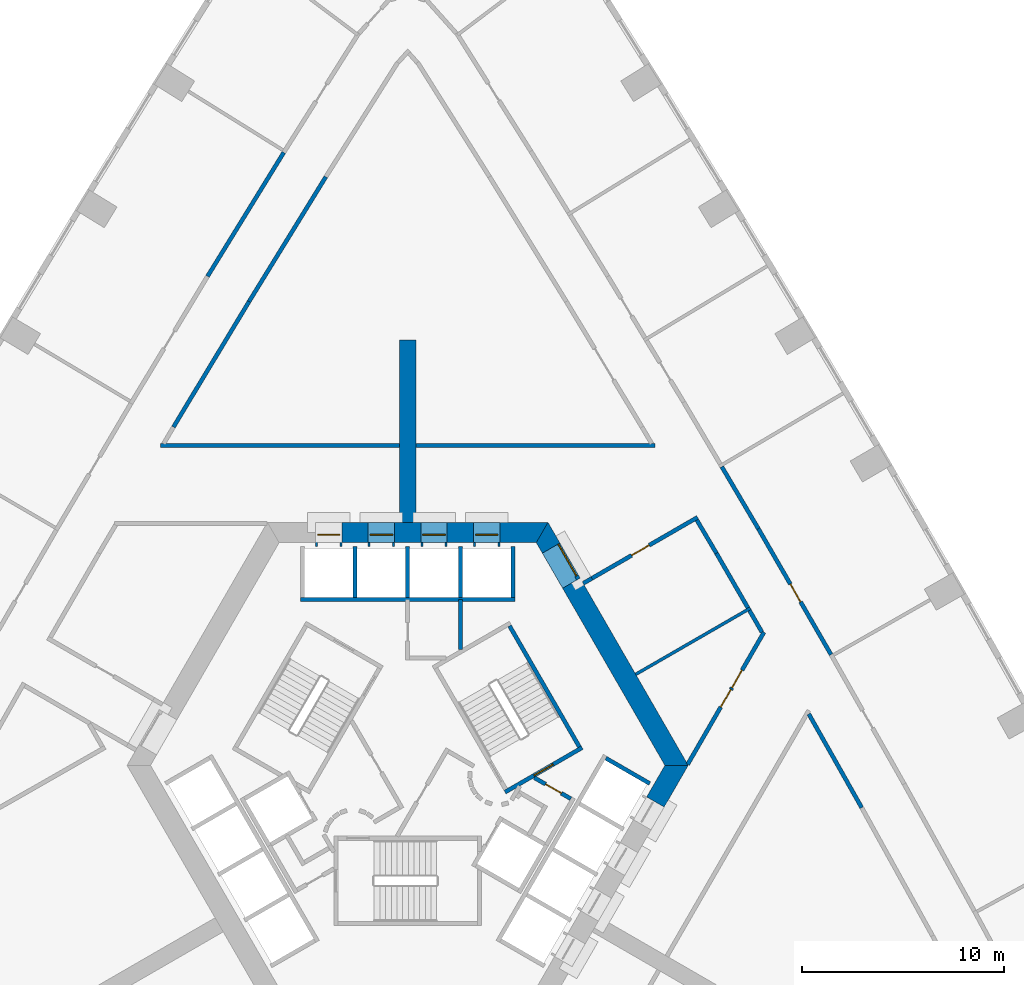
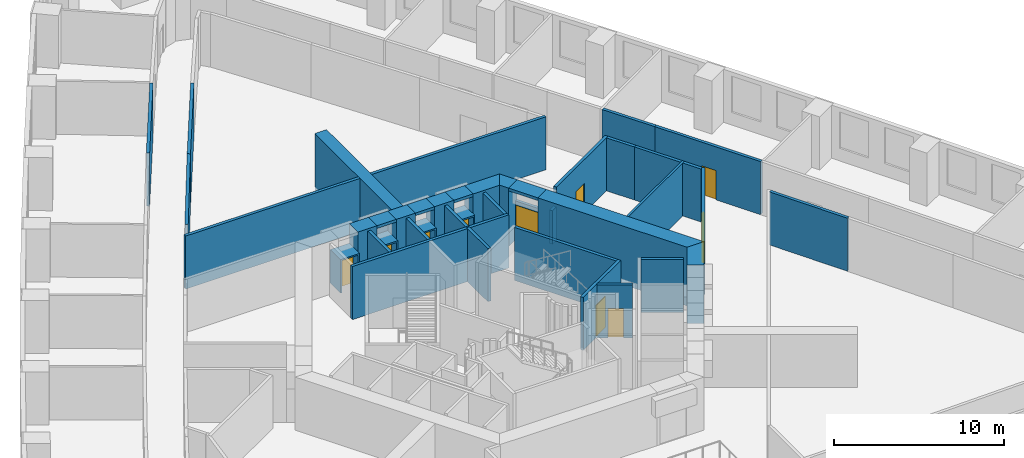
# One storey, part 9 of 14: 42 walls, 11 doors, 11 openings.
"""IFC4 building model written with IfcOpenShell, lengths in metres."""

from ifc_helpers import new_model, si_unit, direction, frame, frame_2d, origin, place, context, subcontext, project, spatial, polyline, rectangle, outline, extrude, material, layer, layer_set, type_object, element, fill, save


model = new_model("IFC4")

# Units and contexts
model_context = context("Model", 3, precision=1e-05, world=origin(), true_north=direction((0.0, 1.0)))
body_context = subcontext(model_context, "Body", "Model", "MODEL_VIEW")
ifc_project = project(units=[si_unit("LENGTHUNIT", "METRE"), si_unit("AREAUNIT", "SQUARE_METRE"), si_unit("VOLUMEUNIT", "CUBIC_METRE"), si_unit("PLANEANGLEUNIT", "RADIAN"), si_unit("MASSUNIT", "GRAM", prefix="KILO")], contexts=[model_context])

# Site, building, storey
site_placement = place(None, origin())
site = spatial("IfcSite", under=ifc_project, at=site_placement, CompositionType="ELEMENT")
building_placement = place(site_placement, origin())
building = spatial("IfcBuilding", under=site, at=building_placement, Name="Entoto Arch Interchange Tower", CompositionType="ELEMENT")
storey_placement = place(building_placement, frame((0.0, 0.0, 64.39990234375)))
storey = spatial("IfcBuildingStorey", under=building, at=storey_placement, Name="L13", CompositionType="ELEMENT", Elevation=64.39990234375)

# Wall
ifc_material_1 = material(Name="Concrete C60/75", Category="concrete")
ifc_layer_1 = layer(ifc_material_1, 0.800048828125)
ifc_layer_set_1 = layer_set([ifc_layer_1], Name="Concrete C60/75")
wall_type_1 = type_object("IfcWallType", Name="Buttress wall 800 C60/75", PredefinedType="SHEAR", material=ifc_layer_set_1)
wall_1_placement = place(storey_placement, frame((0.0, 14.5, -0.39990234375), z_axis=(0.0, 0.0, 1.0), x_axis=(0.0, 1.0, 0.0)))
element("IfcWall", 1, at=wall_1_placement, inside=storey, type_object=wall_type_1, Name="Buttress wall N L13", PredefinedType="SHEAR", context=body_context, shape_type="SweptSolid", body=[
    extrude(rectangle(XDim=9.0, YDim=0.800048828125, at=frame_2d((4.5, 0.0))), origin(), (0.0, 0.0, 1.0), 4.199951171875),
])

# Wall, opening, door
ifc_material_2 = material(Name="Reinforced concrete C40/50", Category="concrete")
ifc_layer_2 = layer(ifc_material_2, 0.199951171875)
ifc_layer_set_2 = layer_set([ifc_layer_2], Name="Reinforced concrete C40/50")
wall_type_2 = type_object("IfcWallType", Name="CORE GAP INFILL WALL", PredefinedType="PARTITIONING", material=ifc_layer_set_2)
wall_2_placement = place(storey_placement, frame((8.429931640625, 11.697998046875, 0.0), z_axis=(0.0, 0.0, 1.0), x_axis=(-0.50002537861, 0.866010750942, 0.0)))
wall_2 = element("IfcWall", 2, at=wall_2_placement, inside=storey, type_object=wall_type_2, Name="wall:L13:gap2", PredefinedType="PARTITIONING", context=body_context, shape_type="SweptSolid", body=[
    extrude(rectangle(XDim=2.0, YDim=0.199951171875, at=frame_2d((1.0, 0.0))), origin(), (0.0, 0.0, 1.0), 2.400146484375),
])
opening_1_placement = place(wall_2_placement, frame((0.18994140625, 0.0, 0.0)))
opening_1 = element("IfcOpeningElement", 3, at=opening_1_placement, cuts=wall_2, Name="Opening L13-D92", PredefinedType="OPENING", context=body_context, shape_type="SweptSolid", body=[
    extrude(rectangle(XDim=1.800048828125, YDim=2.10009765625, at=frame_2d((0.89990234375, 1.050048828125))), frame((0.0, 0.10986328125, 0.0), z_axis=(0.0, -1.0, 0.0), x_axis=(1.0, 0.0, 0.0)), (0.0, 0.0, 1.0), 0.219970703125),
])
ifc_material_3 = material(Name="Fire-rated Steel S235 door and frame", Category="steel")
door_type_1 = type_object("IfcDoorType", Name="DOOR FD-18 1800x2100", OperationType="DOUBLE_DOOR_SINGLE_SWING", PredefinedType="DOOR", material=ifc_material_3)
door_1_placement = place(opening_1_placement, origin())
door_1 = element("IfcDoor", 4, at=door_1_placement, inside=storey, type_object=door_type_1, Name="door:L13:gap2", OperationType="DOUBLE_DOOR_SINGLE_SWING", OverallHeight=2.10009765625, OverallWidth=1.800048828125, PredefinedType="DOOR", context=body_context, shape_type="SweptSolid", body=[
    extrude(rectangle(XDim=1.800048828125, YDim=2.10009765625, at=frame_2d((0.89990234375, 1.050048828125))), frame((0.0, 0.02490234375, 0.0), z_axis=(0.0, -1.0, 0.0), x_axis=(1.0, 0.0, 0.0)), (0.0, 0.0, 1.0), 0.050048828125),
])
fill(opening_1, door_1)

# Walls
ifc_layer_3 = layer(ifc_material_1, 1.0)
ifc_layer_set_3 = layer_set([ifc_layer_3], Name="Concrete C60/75")
wall_type_3 = type_object("IfcWallType", Name="Core wall 1000 C60/75", PredefinedType="SHEAR", material=ifc_layer_set_3)
wall_3_placement = place(storey_placement, frame((0.0, 0.0, -0.39990234375)))
element("IfcWall", 5, at=wall_3_placement, inside=storey, type_object=wall_type_3, Name="Core wall NE L13", PredefinedType="SHEAR", context=body_context, shape_type="SweptSolid", body=[
    extrude(outline(polyline([(8.51708984375, 11.748046875), (7.65087890625, 11.248046875), (12.701904296875, 2.5), (13.85595703125, 2.5), (8.51708984375, 11.748046875)])), origin(), (0.0, 0.0, 1.0), 4.199951171875),
])
wall_4_placement = place(storey_placement, frame((0.0, 0.0, -0.39990234375)))
element("IfcWall", 6, at=wall_4_placement, inside=storey, type_object=wall_type_3, Name="Core wall NE L13", PredefinedType="SHEAR", context=body_context, shape_type="SweptSolid", body=[
    extrude(outline(polyline([(6.65087890625, 12.97998046875), (7.51708984375, 13.47998046875), (6.927978515625, 14.5), (6.35107421875, 13.5), (6.65087890625, 12.97998046875)])), origin(), (0.0, 0.0, 1.0), 4.199951171875),
])
wall_5_placement = place(storey_placement, frame((0.0, 0.0, 3.60009765625)))
element("IfcWall", 7, at=wall_5_placement, inside=storey, type_object=wall_type_3, Name="Core wall lintel NE L13", PredefinedType="SHEAR", context=body_context, shape_type="SweptSolid", body=[
    extrude(outline(polyline([(7.51708984375, 13.47998046875), (6.65087890625, 12.97998046875), (7.65087890625, 11.248046875), (8.51708984375, 11.748046875), (7.51708984375, 13.47998046875)])), origin(), (0.0, 0.0, 1.0), 0.199951171875),
])
wall_6_placement = place(storey_placement, frame((0.0, 0.0, -0.39990234375)))
element("IfcWall", 8, at=wall_6_placement, inside=storey, type_object=wall_type_3, Name="Core wall N L13", PredefinedType="SHEAR", context=body_context, shape_type="SweptSolid", body=[
    extrude(outline(polyline([(4.550048828125, 14.5), (4.550048828125, 13.5), (6.35107421875, 13.5), (6.927978515625, 14.5), (4.550048828125, 14.5)])), origin(), (0.0, 0.0, 1.0), 4.199951171875),
])
wall_7_placement = place(storey_placement, frame((0.0, 0.0, -0.39990234375)))
element("IfcWall", 9, at=wall_7_placement, inside=storey, type_object=wall_type_3, Name="Core wall N L13", PredefinedType="SHEAR", context=body_context, shape_type="SweptSolid", body=[
    extrude(outline(polyline([(1.949951171875, 14.5), (1.949951171875, 13.5), (3.25, 13.5), (3.25, 14.5), (1.949951171875, 14.5)])), origin(), (0.0, 0.0, 1.0), 4.199951171875),
])
wall_8_placement = place(storey_placement, frame((0.0, 0.0, -0.39990234375)))
element("IfcWall", 10, at=wall_8_placement, inside=storey, type_object=wall_type_3, Name="Core wall N L13", PredefinedType="SHEAR", context=body_context, shape_type="SweptSolid", body=[
    extrude(outline(polyline([(-0.64990234375, 14.5), (-0.64990234375, 13.5), (0.64990234375, 13.5), (0.64990234375, 14.5), (-0.64990234375, 14.5)])), origin(), (0.0, 0.0, 1.0), 4.199951171875),
])
wall_9_placement = place(storey_placement, frame((0.0, 0.0, -0.39990234375)))
element("IfcWall", 11, at=wall_9_placement, inside=storey, type_object=wall_type_3, Name="Core wall N L13", PredefinedType="SHEAR", context=body_context, shape_type="SweptSolid", body=[
    extrude(outline(polyline([(-3.25, 14.5), (-3.25, 13.5), (-1.949951171875, 13.5), (-1.949951171875, 14.5), (-3.25, 14.5)])), origin(), (0.0, 0.0, 1.0), 4.199951171875),
])
wall_10_placement = place(storey_placement, frame((0.0, 0.0, 3.60009765625)))
element("IfcWall", 12, at=wall_10_placement, inside=storey, type_object=wall_type_3, Name="Core wall lintel N L13", PredefinedType="SHEAR", context=body_context, shape_type="SweptSolid", body=[
    extrude(outline(polyline([(3.25, 14.5), (3.25, 13.5), (4.550048828125, 13.5), (4.550048828125, 14.5), (3.25, 14.5)])), origin(), (0.0, 0.0, 1.0), 0.199951171875),
])
wall_11_placement = place(storey_placement, frame((0.0, 0.0, 3.60009765625)))
element("IfcWall", 13, at=wall_11_placement, inside=storey, type_object=wall_type_3, Name="Core wall lintel N L13", PredefinedType="SHEAR", context=body_context, shape_type="SweptSolid", body=[
    extrude(outline(polyline([(0.64990234375, 14.5), (0.64990234375, 13.5), (1.949951171875, 13.5), (1.949951171875, 14.5), (0.64990234375, 14.5)])), origin(), (0.0, 0.0, 1.0), 0.199951171875),
])
wall_12_placement = place(storey_placement, frame((0.0, 0.0, 3.60009765625)))
element("IfcWall", 14, at=wall_12_placement, inside=storey, type_object=wall_type_3, Name="Core wall lintel N L13", PredefinedType="SHEAR", context=body_context, shape_type="SweptSolid", body=[
    extrude(outline(polyline([(-1.949951171875, 14.5), (-1.949951171875, 13.5), (-0.64990234375, 13.5), (-0.64990234375, 14.5), (-1.949951171875, 14.5)])), origin(), (0.0, 0.0, 1.0), 0.199951171875),
])
wall_13_placement = place(storey_placement, frame((0.0, 0.0, -0.39990234375)))
element("IfcWall", 15, at=wall_13_placement, inside=storey, type_object=wall_type_3, Name="Core wall SE L13", PredefinedType="SHEAR", context=body_context, shape_type="SweptSolid", body=[
    extrude(outline(polyline([(11.801025390625, 0.93994140625), (12.6669921875, 0.43994140625), (13.85595703125, 2.5), (12.701904296875, 2.5), (11.801025390625, 0.93994140625)])), origin(), (0.0, 0.0, 1.0), 4.199951171875),
])

# Wall, opening, door
ifc_material_4 = material(Name="Concrete C40/50", Category="concrete")
ifc_layer_4 = layer(ifc_material_4, 1.199951171875)
ifc_layer_set_4 = layer_set([ifc_layer_4], Name="Concrete C40/50")
wall_type_4 = type_object("IfcWallType", Name="LIFT LANDING INFILL WALL", PredefinedType="STANDARD", material=ifc_layer_set_4)
wall_14_placement = place(storey_placement, frame((4.550048828125, 13.89990234375, 0.0), z_axis=(0.0, 0.0, 1.0), x_axis=(-1.0, 0.0, 0.0)))
wall_14 = element("IfcWall", 16, at=wall_14_placement, inside=storey, type_object=wall_type_4, Name="Lift landing infill wall LR1 L13", PredefinedType="STANDARD", context=body_context, shape_type="SweptSolid", body=[
    extrude(rectangle(XDim=1.300048828125, YDim=1.199951171875, at=frame_2d((0.64990234375, 0.0))), origin(), (0.0, 0.0, 1.0), 2.400146484375),
])
opening_2_placement = place(wall_14_placement, frame((0.10009765625, 0.0, 0.0)))
opening_2 = element("IfcOpeningElement", 17, at=opening_2_placement, cuts=wall_14, Name="Opening LD-LR1-L13", PredefinedType="OPENING", context=body_context, shape_type="SweptSolid", body=[
    extrude(rectangle(XDim=1.10009765625, YDim=2.300048828125, at=frame_2d((0.550048828125, 1.14990234375))), frame((0.0, 0.60986328125, 0.0), z_axis=(0.0, -1.0, 0.0), x_axis=(1.0, 0.0, 0.0)), (0.0, 0.0, 1.0), 1.219970703125),
])
ifc_material_5 = material(Name="Stainless steel 1.4301 panels", Category="steel")
door_type_2 = type_object("IfcDoorType", Name="LIFT LANDING DOOR LD2 1100x2300", OperationType="SLIDING_TO_LEFT", PredefinedType="DOOR", material=ifc_material_5)
door_2_placement = place(opening_2_placement, origin())
door_2 = element("IfcDoor", 18, at=door_2_placement, inside=storey, type_object=door_type_2, Name="Lift landing door LR1 L13", OperationType="SLIDING_TO_LEFT", OverallHeight=2.300048828125, OverallWidth=1.10009765625, PredefinedType="DOOR", context=body_context, shape_type="SweptSolid", body=[
    extrude(rectangle(XDim=1.10009765625, YDim=2.300048828125, at=frame_2d((0.550048828125, 1.14990234375))), frame((0.0, 0.02490234375, 0.0), z_axis=(0.0, -1.0, 0.0), x_axis=(1.0, 0.0, 0.0)), (0.0, 0.0, 1.0), 0.050048828125),
])
fill(opening_2, door_2)

wall_15_placement = place(storey_placement, frame((1.949951171875, 13.89990234375, 0.0), z_axis=(0.0, 0.0, 1.0), x_axis=(-1.0, 0.0, 0.0)))
wall_15 = element("IfcWall", 19, at=wall_15_placement, inside=storey, type_object=wall_type_4, Name="Lift landing infill wall LR2 L13", PredefinedType="STANDARD", context=body_context, shape_type="SweptSolid", body=[
    extrude(rectangle(XDim=1.300048828125, YDim=1.199951171875, at=frame_2d((0.64990234375, 0.0))), origin(), (0.0, 0.0, 1.0), 2.400146484375),
])
opening_3_placement = place(wall_15_placement, frame((0.10009765625, 0.0, 0.0)))
opening_3 = element("IfcOpeningElement", 20, at=opening_3_placement, cuts=wall_15, Name="Opening LD-LR2-L13", PredefinedType="OPENING", context=body_context, shape_type="SweptSolid", body=[
    extrude(rectangle(XDim=1.10009765625, YDim=2.300048828125, at=frame_2d((0.550048828125, 1.14990234375))), frame((0.0, 0.60986328125, 0.0), z_axis=(0.0, -1.0, 0.0), x_axis=(1.0, 0.0, 0.0)), (0.0, 0.0, 1.0), 1.219970703125),
])
door_3_placement = place(opening_3_placement, origin())
door_3 = element("IfcDoor", 21, at=door_3_placement, inside=storey, type_object=door_type_2, Name="Lift landing door LR2 L13", OperationType="SLIDING_TO_LEFT", OverallHeight=2.300048828125, OverallWidth=1.10009765625, PredefinedType="DOOR", context=body_context, shape_type="SweptSolid", body=[
    extrude(rectangle(XDim=1.10009765625, YDim=2.300048828125, at=frame_2d((0.550048828125, 1.14990234375))), frame((0.0, 0.02490234375, 0.0), z_axis=(0.0, -1.0, 0.0), x_axis=(1.0, 0.0, 0.0)), (0.0, 0.0, 1.0), 0.050048828125),
])
fill(opening_3, door_3)

wall_16_placement = place(storey_placement, frame((-0.64990234375, 13.89990234375, 0.0), z_axis=(0.0, 0.0, 1.0), x_axis=(-1.0, 0.0, 0.0)))
wall_16 = element("IfcWall", 22, at=wall_16_placement, inside=storey, type_object=wall_type_4, Name="Lift landing infill wall LR3 L13", PredefinedType="STANDARD", context=body_context, shape_type="SweptSolid", body=[
    extrude(rectangle(XDim=1.300048828125, YDim=1.199951171875, at=frame_2d((0.64990234375, 0.0))), origin(), (0.0, 0.0, 1.0), 2.400146484375),
])
opening_4_placement = place(wall_16_placement, frame((0.10009765625, 0.0, 0.0)))
opening_4 = element("IfcOpeningElement", 23, at=opening_4_placement, cuts=wall_16, Name="Opening LD-LR3-L13", PredefinedType="OPENING", context=body_context, shape_type="SweptSolid", body=[
    extrude(rectangle(XDim=1.10009765625, YDim=2.300048828125, at=frame_2d((0.550048828125, 1.14990234375))), frame((0.0, 0.60986328125, 0.0), z_axis=(0.0, -1.0, 0.0), x_axis=(1.0, 0.0, 0.0)), (0.0, 0.0, 1.0), 1.219970703125),
])
door_4_placement = place(opening_4_placement, origin())
door_4 = element("IfcDoor", 24, at=door_4_placement, inside=storey, type_object=door_type_2, Name="Lift landing door LR3 L13", OperationType="SLIDING_TO_LEFT", OverallHeight=2.300048828125, OverallWidth=1.10009765625, PredefinedType="DOOR", context=body_context, shape_type="SweptSolid", body=[
    extrude(rectangle(XDim=1.10009765625, YDim=2.300048828125, at=frame_2d((0.550048828125, 1.14990234375))), frame((0.0, 0.02490234375, 0.0), z_axis=(0.0, -1.0, 0.0), x_axis=(1.0, 0.0, 0.0)), (0.0, 0.0, 1.0), 0.050048828125),
])
fill(opening_4, door_4)

wall_17_placement = place(storey_placement, frame((-3.25, 13.89990234375, 0.0), z_axis=(0.0, 0.0, 1.0), x_axis=(-1.0, 0.0, 0.0)))
wall_17 = element("IfcWall", 25, at=wall_17_placement, inside=storey, type_object=wall_type_4, Name="Lift landing infill wall LR4 L13", PredefinedType="STANDARD", context=body_context, shape_type="SweptSolid", body=[
    extrude(rectangle(XDim=1.300048828125, YDim=1.199951171875, at=frame_2d((0.64990234375, 0.0))), origin(), (0.0, 0.0, 1.0), 2.400146484375),
])
opening_5_placement = place(wall_17_placement, frame((0.10009765625, 0.0, 0.0)))
opening_5 = element("IfcOpeningElement", 26, at=opening_5_placement, cuts=wall_17, Name="Opening LD-LR4-L13", PredefinedType="OPENING", context=body_context, shape_type="SweptSolid", body=[
    extrude(rectangle(XDim=1.10009765625, YDim=2.300048828125, at=frame_2d((0.550048828125, 1.14990234375))), frame((0.0, 0.60986328125, 0.0), z_axis=(0.0, -1.0, 0.0), x_axis=(1.0, 0.0, 0.0)), (0.0, 0.0, 1.0), 1.219970703125),
])
door_5_placement = place(opening_5_placement, origin())
door_5 = element("IfcDoor", 27, at=door_5_placement, inside=storey, type_object=door_type_2, Name="Lift landing door LR4 L13", OperationType="SLIDING_TO_LEFT", OverallHeight=2.300048828125, OverallWidth=1.10009765625, PredefinedType="DOOR", context=body_context, shape_type="SweptSolid", body=[
    extrude(rectangle(XDim=1.10009765625, YDim=2.300048828125, at=frame_2d((0.550048828125, 1.14990234375))), frame((0.0, 0.02490234375, 0.0), z_axis=(0.0, -1.0, 0.0), x_axis=(1.0, 0.0, 0.0)), (0.0, 0.0, 1.0), 0.050048828125),
])
fill(opening_5, door_5)

# Walls
ifc_layer_5 = layer(ifc_material_4, 0.199951171875)
ifc_layer_set_5 = layer_set([ifc_layer_5], Name="Concrete C40/50")
wall_type_5 = type_object("IfcWallType", Name="LIFT SHAFT WALL 200", PredefinedType="STANDARD", material=ifc_layer_set_5)
wall_18_placement = place(storey_placement, frame((5.300048828125, 10.699951171875, 0.0), z_axis=(0.0, 0.0, 1.0), x_axis=(-1.0, 0.0, 0.0)))
element("IfcWall", 28, at=wall_18_placement, inside=storey, type_object=wall_type_5, Name="Shaft wall N3 front", PredefinedType="STANDARD", context=body_context, shape_type="SweptSolid", body=[
    extrude(rectangle(XDim=10.60009765625, YDim=0.199951171875, at=frame_2d((5.300048828125, 0.0))), origin(), (0.0, 0.0, 1.0), 3.800048828125),
])
for number, where, z_axis, x_axis, name in (
    (29, (5.199951171875, 10.800048828125, 0.0), (0.0, 0.0, 1.0), (0.0, 1.0, 0.0), "Shaft wall N3 cross 1"),
    (30, (2.60009765625, 10.800048828125, 0.0), (0.0, 0.0, 1.0), (0.0, 1.0, 0.0), "Shaft wall N3 cross 2"),
    (31, (0.0, 10.800048828125, 0.0), (0.0, 0.0, 1.0), (0.0, 1.0, 0.0), "Shaft wall N3 cross 3"),
    (32, (-2.60009765625, 10.800048828125, 0.0), (0.0, 0.0, 1.0), (0.0, 1.0, 0.0), "Shaft wall N3 cross 4"),
):
    element("IfcWall", number, at=place(storey_placement, frame(where, z_axis=z_axis, x_axis=x_axis)), inside=storey, type_object=wall_type_5, Name=name, PredefinedType="STANDARD", context=body_context, shape_type="SweptSolid", body=[
        extrude(rectangle(XDim=2.5, YDim=0.199951171875, at=frame_2d((1.25, 0.0))), origin(), (0.0, 0.0, 1.0), 3.800048828125),
    ])
wall_19_placement = place(storey_placement, frame((9.7880859375, 2.85302734375, 0.0), z_axis=(0.0, 0.0, 1.0), x_axis=(0.865998541277, -0.500046524342, 0.0)))
element("IfcWall", 33, at=wall_19_placement, inside=storey, type_object=wall_type_5, Name="Shaft wall SE3 cross 5", PredefinedType="STANDARD", context=body_context, shape_type="SweptSolid", body=[
    extrude(rectangle(XDim=2.499755859375, YDim=0.199951171875, at=frame_2d((1.25, 0.0))), origin(), (0.0, 0.0, 1.0), 3.800048828125),
])
ifc_material_6 = material(Name="Gypsum board partition on steel studs", Category="steel")
ifc_layer_6 = layer(ifc_material_6, 0.14990234375)
ifc_layer_set_6 = layer_set([ifc_layer_6], Name="Gypsum board partition on steel studs")
wall_type_6 = type_object("IfcWallType", Name="PARTITION 150", PredefinedType="PARTITIONING", material=ifc_layer_set_6)
wall_20_placement = place(storey_placement, frame((11.260986328125, 6.993896484375, 0.0), z_axis=(0.0, 0.0, 1.0), x_axis=(0.866043905515, 0.499967952693, 0.0)))
element("IfcWall", 34, at=wall_20_placement, inside=storey, type_object=wall_type_6, Name="wall:L13:p098", PredefinedType="PARTITIONING", context=body_context, shape_type="SweptSolid", body=[
    extrude(rectangle(XDim=6.54248046875, YDim=0.14990234375, at=frame_2d((3.271240234375, 0.0))), origin(), (0.0, 0.0, 1.0), 3.800048828125),
])
ifc_layer_7 = layer(ifc_material_6, 0.199951171875)
ifc_layer_set_7 = layer_set([ifc_layer_7], Name="Gypsum board partition on steel studs")
wall_type_7 = type_object("IfcWallType", Name="PARTITION 200", PredefinedType="PARTITIONING", material=ifc_layer_set_7)
wall_21_placement = place(storey_placement, frame((17.4970703125, 9.077880859375, 0.0), z_axis=(0.0, 0.0, 1.0), x_axis=(-0.500126451326, 0.865952384768, 0.0)))
element("IfcWall", 35, at=wall_21_placement, inside=storey, type_object=wall_type_7, Name="wall:L13:p004", PredefinedType="PARTITIONING", context=body_context, shape_type="SweptSolid", body=[
    extrude(rectangle(XDim=1.238037109375, YDim=0.199951171875, at=frame_2d((0.619140625, 0.0))), origin(), (0.0, 0.0, 1.0), 3.800048828125),
])
wall_22_placement = place(storey_placement, frame((16.802978515625, 10.280029296875, 0.0), z_axis=(0.0, 0.0, 1.0), x_axis=(-0.499941881293, 0.866058956036, 0.0)))
element("IfcWall", 36, at=wall_22_placement, inside=storey, type_object=wall_type_7, Name="wall:L13:p005", PredefinedType="PARTITIONING", context=body_context, shape_type="SweptSolid", body=[
    extrude(rectangle(XDim=3.114013671875, YDim=0.199951171875, at=frame_2d((1.55712890625, 0.0))), origin(), (0.0, 0.0, 1.0), 3.800048828125),
])
wall_23_placement = place(storey_placement, frame((15.24609375, 12.97705078125, 0.0), z_axis=(0.0, 0.0, 1.0), x_axis=(-0.508473864329, 0.861077423519, 0.0)))
element("IfcWall", 37, at=wall_23_placement, inside=storey, type_object=wall_type_7, Name="wall:L13:p006", PredefinedType="PARTITIONING", context=body_context, shape_type="SweptSolid", body=[
    extrude(rectangle(XDim=1.89990234375, YDim=0.199951171875, at=frame_2d((0.949951171875, 0.0))), origin(), (0.0, 0.0, 1.0), 3.800048828125),
])

# Wall, opening, door
wall_24_placement = place(storey_placement, frame((14.31591796875, 14.75, 0.0), z_axis=(0.0, 0.0, 1.0), x_axis=(-0.865981716183, -0.500075661512, 0.0)))
wall_24 = element("IfcWall", 38, at=wall_24_placement, inside=storey, type_object=wall_type_7, Name="wall:L13:p007", PredefinedType="PARTITIONING", context=body_context, shape_type="SweptSolid", body=[
    extrude(rectangle(XDim=6.02294921875, YDim=0.199951171875, at=frame_2d((3.011474609375, 0.0))), origin(), (0.0, 0.0, 1.0), 3.800048828125),
])
opening_6_placement = place(wall_24_placement, frame((2.760986328125, 0.0, 0.0)))
opening_6 = element("IfcOpeningElement", 39, at=opening_6_placement, cuts=wall_24, Name="Opening L13-D29", PredefinedType="OPENING", context=body_context, shape_type="SweptSolid", body=[
    extrude(rectangle(XDim=1.0, YDim=2.10009765625, at=frame_2d((0.5, 1.050048828125))), frame((0.0, 0.10986328125, 0.0), z_axis=(0.0, -1.0, 0.0), x_axis=(1.0, 0.0, 0.0)), (0.0, 0.0, 1.0), 0.219970703125),
])
ifc_material_7 = material(Name="Timber door leaf in Steel S235 frame", Category="steel")
door_type_3 = type_object("IfcDoorType", Name="DOOR DS-10 1000x2100", OperationType="SINGLE_SWING_LEFT", PredefinedType="DOOR", material=ifc_material_7)
door_6_placement = place(opening_6_placement, origin())
door_6 = element("IfcDoor", 40, at=door_6_placement, inside=storey, type_object=door_type_3, Name="door:L13:29", OperationType="SINGLE_SWING_LEFT", OverallHeight=2.10009765625, OverallWidth=1.0, PredefinedType="DOOR", context=body_context, shape_type="SweptSolid", body=[
    extrude(rectangle(XDim=1.0, YDim=2.10009765625, at=frame_2d((0.5, 1.050048828125))), frame((0.0, 0.02490234375, 0.0), z_axis=(0.0, -1.0, 0.0), x_axis=(1.0, 0.0, 0.0)), (0.0, 0.0, 1.0), 0.050048828125),
])
fill(opening_6, door_6)

# Walls
wall_25_placement = place(storey_placement, frame((-4.04296875, 31.56396484375, 0.0), z_axis=(0.0, 0.0, 1.0), x_axis=(-0.524225471951, -0.851579505717, 0.0)))
element("IfcWall", 41, at=wall_25_placement, inside=storey, type_object=wall_type_7, Name="wall:L13:p015", PredefinedType="PARTITIONING", context=body_context, shape_type="SweptSolid", body=[
    extrude(rectangle(XDim=7.2333984375, YDim=0.199951171875, at=frame_2d((3.61669921875, 0.0))), origin(), (0.0, 0.0, 1.0), 3.800048828125),
])
wall_26_placement = place(storey_placement, frame((-7.8349609375, 25.404052734375, 0.0), z_axis=(0.0, 0.0, 1.0), x_axis=(-0.516172233954, -0.85648480716, 0.0)))
element("IfcWall", 42, at=wall_26_placement, inside=storey, type_object=wall_type_7, Name="wall:L13:p016", PredefinedType="PARTITIONING", context=body_context, shape_type="SweptSolid", body=[
    extrude(rectangle(XDim=7.234375, YDim=0.199951171875, at=frame_2d((3.6171875, 0.0))), origin(), (0.0, 0.0, 1.0), 3.800048828125),
])
wall_27_placement = place(storey_placement, frame((22.419921875, 0.4150390625, 0.0), z_axis=(0.0, 0.0, 1.0), x_axis=(-0.491823859571, 0.870694717543, 0.0)))
element("IfcWall", 43, at=wall_27_placement, inside=storey, type_object=wall_type_7, Name="wall:L13:p026", PredefinedType="PARTITIONING", context=body_context, shape_type="SweptSolid", body=[
    extrude(rectangle(XDim=5.30859375, YDim=0.199951171875, at=frame_2d((2.654296875, 0.0))), origin(), (0.0, 0.0, 1.0), 3.800048828125),
])
wall_28_placement = place(storey_placement, frame((15.511962890625, 17.248046875, 0.0), z_axis=(0.0, 0.0, 1.0), x_axis=(0.508178415101, -0.861251820564, 0.0)))
element("IfcWall", 44, at=wall_28_placement, inside=storey, type_object=wall_type_7, Name="wall:L13:p054", PredefinedType="PARTITIONING", context=body_context, shape_type="SweptSolid", body=[
    extrude(rectangle(XDim=3.55419921875, YDim=0.199951171875, at=frame_2d((1.777099609375, 0.0))), origin(), (0.0, 0.0, 1.0), 3.800048828125),
])

# Wall, opening, door
wall_29_placement = place(storey_placement, frame((17.318115234375, 14.18701171875, 0.0), z_axis=(0.0, 0.0, 1.0), x_axis=(0.499986381413, -0.866033266336, 0.0)))
wall_29 = element("IfcWall", 45, at=wall_29_placement, inside=storey, type_object=wall_type_7, Name="wall:L13:p055", PredefinedType="PARTITIONING", context=body_context, shape_type="SweptSolid", body=[
    extrude(rectangle(XDim=7.179931640625, YDim=0.199951171875, at=frame_2d((3.58984375, 0.0))), origin(), (0.0, 0.0, 1.0), 3.800048828125),
])
opening_7_placement = place(wall_29_placement, frame((3.1650390625, 0.0, 0.0)))
opening_7 = element("IfcOpeningElement", 46, at=opening_7_placement, cuts=wall_29, Name="Opening L13-D05", PredefinedType="OPENING", context=body_context, shape_type="SweptSolid", body=[
    extrude(rectangle(XDim=1.0, YDim=2.10009765625, at=frame_2d((0.5, 1.050048828125))), frame((0.0, 0.10986328125, 0.0), z_axis=(0.0, -1.0, 0.0), x_axis=(1.0, 0.0, 0.0)), (0.0, 0.0, 1.0), 0.219970703125),
])
door_7_placement = place(opening_7_placement, origin())
door_7 = element("IfcDoor", 47, at=door_7_placement, inside=storey, type_object=door_type_3, Name="door:L13:05", OperationType="SINGLE_SWING_LEFT", OverallHeight=2.10009765625, OverallWidth=1.0, PredefinedType="DOOR", context=body_context, shape_type="SweptSolid", body=[
    extrude(rectangle(XDim=1.0, YDim=2.10009765625, at=frame_2d((0.5, 1.050048828125))), frame((0.0, 0.02490234375, 0.0), z_axis=(0.0, -1.0, 0.0), x_axis=(1.0, 0.0, 0.0)), (0.0, 0.0, 1.0), 0.050048828125),
])
fill(opening_7, door_7)

# Walls
wall_30_placement = place(storey_placement, frame((-9.884033203125, 26.652099609375, 0.0), z_axis=(0.0, 0.0, 1.0), x_axis=(0.524182788618, 0.851605779758, 0.0)))
element("IfcWall", 48, at=wall_30_placement, inside=storey, type_object=wall_type_7, Name="wall:L13:p068", PredefinedType="PARTITIONING", context=body_context, shape_type="SweptSolid", body=[
    extrude(rectangle(XDim=7.180419921875, YDim=0.199951171875, at=frame_2d((3.59033203125, 0.0))), origin(), (0.0, 0.0, 1.0), 3.800048828125),
])
wall_31_placement = place(storey_placement, frame((2.59912109375, 10.699951171875, 0.0), z_axis=(0.0, 0.0, 1.0), x_axis=(0.000393159002, -0.999999922713, 0.0)))
element("IfcWall", 49, at=wall_31_placement, inside=storey, type_object=wall_type_7, Name="wall:L13:p085", PredefinedType="PARTITIONING", context=body_context, shape_type="SweptSolid", body=[
    extrude(rectangle(XDim=2.48388671875, YDim=0.199951171875, at=frame_2d((1.241943359375, 0.0))), origin(), (0.0, 0.0, 1.0), 3.800048828125),
])

# Wall, opening, door
wall_32_placement = place(storey_placement, frame((6.25, 1.89404296875, 0.0), z_axis=(0.0, 0.0, 1.0), x_axis=(0.866043184279, -0.499969202016, 0.0)))
wall_32 = element("IfcWall", 50, at=wall_32_placement, inside=storey, type_object=wall_type_7, Name="wall:L13:p089", PredefinedType="PARTITIONING", context=body_context, shape_type="SweptSolid", body=[
    extrude(rectangle(XDim=2.084228515625, YDim=0.199951171875, at=frame_2d((1.0419921875, 0.0))), origin(), (0.0, 0.0, 1.0), 3.800048828125),
])
opening_8_placement = place(wall_32_placement, frame((0.64208984375, 0.0, 0.0)))
opening_8 = element("IfcOpeningElement", 51, at=opening_8_placement, cuts=wall_32, Name="Opening L13-D33", PredefinedType="OPENING", context=body_context, shape_type="SweptSolid", body=[
    extrude(rectangle(XDim=0.89990234375, YDim=2.10009765625, at=frame_2d((0.449951171875, 1.050048828125))), frame((0.0, 0.10986328125, 0.0), z_axis=(0.0, -1.0, 0.0), x_axis=(1.0, 0.0, 0.0)), (0.0, 0.0, 1.0), 0.219970703125),
])
door_type_4 = type_object("IfcDoorType", Name="DOOR DS-09 900x2100", OperationType="SINGLE_SWING_LEFT", PredefinedType="DOOR", material=ifc_material_7)
door_8_placement = place(opening_8_placement, origin())
door_8 = element("IfcDoor", 52, at=door_8_placement, inside=storey, type_object=door_type_4, Name="door:L13:33", OperationType="SINGLE_SWING_LEFT", OverallHeight=2.10009765625, OverallWidth=0.89990234375, PredefinedType="DOOR", context=body_context, shape_type="SweptSolid", body=[
    extrude(rectangle(XDim=0.89990234375, YDim=2.10009765625, at=frame_2d((0.449951171875, 1.050048828125))), frame((0.0, 0.02490234375, 0.0), z_axis=(0.0, -1.0, 0.0), x_axis=(1.0, 0.0, 0.0)), (0.0, 0.0, 1.0), 0.050048828125),
])
fill(opening_8, door_8)

# Wall, openings, doors
wall_33_placement = place(storey_placement, frame((13.826904296875, 2.550048828125, 0.0), z_axis=(0.0, 0.0, 1.0), x_axis=(0.500116794417, 0.865957961995, 0.0)))
wall_33 = element("IfcWall", 53, at=wall_33_placement, inside=storey, type_object=wall_type_7, Name="wall:L13:p099", PredefinedType="PARTITIONING", context=body_context, shape_type="SweptSolid", body=[
    extrude(rectangle(XDim=7.538330078125, YDim=0.199951171875, at=frame_2d((3.76904296875, 0.0))), origin(), (0.0, 0.0, 1.0), 3.800048828125),
])
opening_9_placement = place(wall_33_placement, frame((3.26904296875, 0.0, 0.0)))
opening_9 = element("IfcOpeningElement", 54, at=opening_9_placement, cuts=wall_33, Name="Opening L13-D28", PredefinedType="OPENING", context=body_context, shape_type="SweptSolid", body=[
    extrude(rectangle(XDim=1.0, YDim=2.10009765625, at=frame_2d((0.5, 1.050048828125))), frame((0.0, 0.10986328125, 0.0), z_axis=(0.0, -1.0, 0.0), x_axis=(1.0, 0.0, 0.0)), (0.0, 0.0, 1.0), 0.219970703125),
])
opening_10_placement = place(wall_33_placement, frame((4.368896484375, 0.0, 0.0)))
opening_10 = element("IfcOpeningElement", 55, at=opening_10_placement, cuts=wall_33, Name="Opening L13-D35", PredefinedType="OPENING", context=body_context, shape_type="SweptSolid", body=[
    extrude(rectangle(XDim=1.0, YDim=2.10009765625, at=frame_2d((0.5, 1.050048828125))), frame((0.0, 0.10986328125, 0.0), z_axis=(0.0, -1.0, 0.0), x_axis=(1.0, 0.0, 0.0)), (0.0, 0.0, 1.0), 0.219970703125),
])
door_9_placement = place(opening_9_placement, origin())
door_9 = element("IfcDoor", 56, at=door_9_placement, inside=storey, type_object=door_type_3, Name="door:L13:28", OperationType="SINGLE_SWING_LEFT", OverallHeight=2.10009765625, OverallWidth=1.0, PredefinedType="DOOR", context=body_context, shape_type="SweptSolid", body=[
    extrude(rectangle(XDim=1.0, YDim=2.10009765625, at=frame_2d((0.5, 1.050048828125))), frame((0.0, 0.02490234375, 0.0), z_axis=(0.0, -1.0, 0.0), x_axis=(1.0, 0.0, 0.0)), (0.0, 0.0, 1.0), 0.050048828125),
])
fill(opening_9, door_9)
door_10_placement = place(opening_10_placement, origin())
door_10 = element("IfcDoor", 57, at=door_10_placement, inside=storey, type_object=door_type_3, Name="door:L13:35", OperationType="SINGLE_SWING_RIGHT", OverallHeight=2.10009765625, OverallWidth=1.0, PredefinedType="DOOR", context=body_context, shape_type="SweptSolid", body=[
    extrude(rectangle(XDim=1.0, YDim=2.10009765625, at=frame_2d((0.5, 1.050048828125))), frame((0.0, 0.02490234375, 0.0), z_axis=(0.0, -1.0, 0.0), x_axis=(1.0, 0.0, 0.0)), (0.0, 0.0, 1.0), 0.050048828125),
])
fill(opening_10, door_10)

# Walls
for number, where, z_axis, x_axis, name in (
    (58, (-12.2041015625, 18.300048828125, 0.0), (0.0, 0.0, 1.0), (1.0, 0.0, 0.0), "wall:L13:p121"),
    (59, (0.39990234375, 18.300048828125, 0.0), (0.0, 0.0, 1.0), (1.0, 0.0, 0.0), "wall:L13:p121"),
):
    element("IfcWall", number, at=place(storey_placement, frame(where, z_axis=z_axis, x_axis=x_axis)), inside=storey, type_object=wall_type_7, Name=name, PredefinedType="PARTITIONING", context=body_context, shape_type="SweptSolid", body=[
        extrude(rectangle(XDim=11.80419921875, YDim=0.199951171875, at=frame_2d((5.902099609375, 0.0))), origin(), (0.0, 0.0, 1.0), 3.800048828125),
    ])
wall_34_placement = place(storey_placement, frame((9.10009765625, 11.738037109375, 0.0), z_axis=(0.0, 0.0, 1.0), x_axis=(-0.866071776036, -0.499919672301, 0.0)))
element("IfcWall", 60, at=wall_34_placement, inside=storey, type_object=wall_type_7, Name="wall:L13:p007", PredefinedType="PARTITIONING", context=body_context, shape_type="SweptSolid", body=[
    extrude(rectangle(XDim=0.5, YDim=0.199951171875, at=frame_2d((0.25, 0.0))), origin(), (0.0, 0.0, 1.0), 2.400146484375),
])

# Wall, opening, door
ifc_layer_8 = layer(ifc_material_4, 0.199951171875)
ifc_layer_set_8 = layer_set([ifc_layer_8], Name="Concrete C40/50")
wall_type_8 = type_object("IfcWallType", Name="STAIR ENCLOSURE WALL 200", PredefinedType="STANDARD", material=ifc_layer_set_8)
wall_35_placement = place(storey_placement, frame((4.805908203125, 1.176025390625, 0.0), z_axis=(0.0, 0.0, 1.0), x_axis=(0.866059941101, 0.499940174841, 0.0)))
wall_35 = element("IfcWall", 61, at=wall_35_placement, inside=storey, type_object=wall_type_8, Name="Stair wall ST-NE near", PredefinedType="STANDARD", context=body_context, shape_type="SweptSolid", body=[
    extrude(rectangle(XDim=4.400390625, YDim=0.199951171875, at=frame_2d((2.2001953125, 0.0))), origin(), (0.0, 0.0, 1.0), 3.800048828125),
])
opening_11_placement = place(wall_35_placement, frame((1.64990234375, 0.0, 0.0)))
opening_11 = element("IfcOpeningElement", 62, at=opening_11_placement, cuts=wall_35, Name="Opening SD-ST-NE-L13-E", PredefinedType="OPENING", context=body_context, shape_type="SweptSolid", body=[
    extrude(rectangle(XDim=1.10009765625, YDim=2.199951171875, at=frame_2d((0.550048828125, 1.10009765625))), frame((0.0, 0.10986328125, 0.0), z_axis=(0.0, -1.0, 0.0), x_axis=(1.0, 0.0, 0.0)), (0.0, 0.0, 1.0), 0.219970703125),
])
ifc_material_8 = material(Name="Steel S235", Category="steel")
door_type_5 = type_object("IfcDoorType", Name="STAIR DOOR SD1 1100x2200", OperationType="SINGLE_SWING_LEFT", PredefinedType="DOOR", material=ifc_material_8)
door_11_placement = place(opening_11_placement, origin())
door_11 = element("IfcDoor", 63, at=door_11_placement, inside=storey, type_object=door_type_5, Name="Stair door ST-NE L13 end", OperationType="SINGLE_SWING_LEFT", OverallHeight=2.199951171875, OverallWidth=1.10009765625, PredefinedType="DOOR", context=body_context, shape_type="SweptSolid", body=[
    extrude(rectangle(XDim=1.10009765625, YDim=2.199951171875, at=frame_2d((0.550048828125, 1.10009765625))), frame((0.0, 0.02490234375, 0.0), z_axis=(0.0, -1.0, 0.0), x_axis=(1.0, 0.0, 0.0)), (0.0, 0.0, 1.0), 0.050048828125),
])
fill(opening_11, door_11)

# Wall
wall_36_placement = place(storey_placement, frame((8.47998046875, 3.412109375, 0.0), z_axis=(0.0, 0.0, 1.0), x_axis=(-0.499978703459, 0.866037698999, 0.0)))
element("IfcWall", 64, at=wall_36_placement, inside=storey, type_object=wall_type_8, Name="Stair wall ST-NE back", PredefinedType="STANDARD", context=body_context, shape_type="SweptSolid", body=[
    extrude(rectangle(XDim=6.900146484375, YDim=0.199951171875, at=frame_2d((3.4501953125, 0.0))), origin(), (0.0, 0.0, 1.0), 3.800048828125),
])

save(model, "model.ifc")
